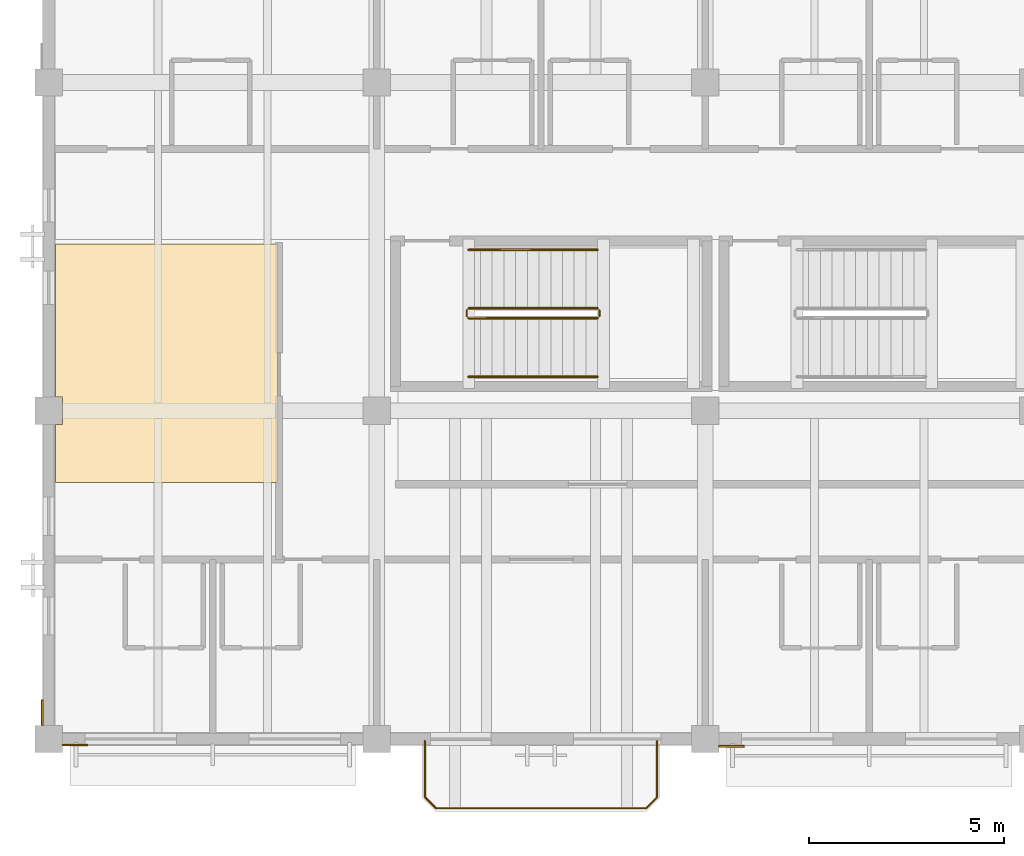
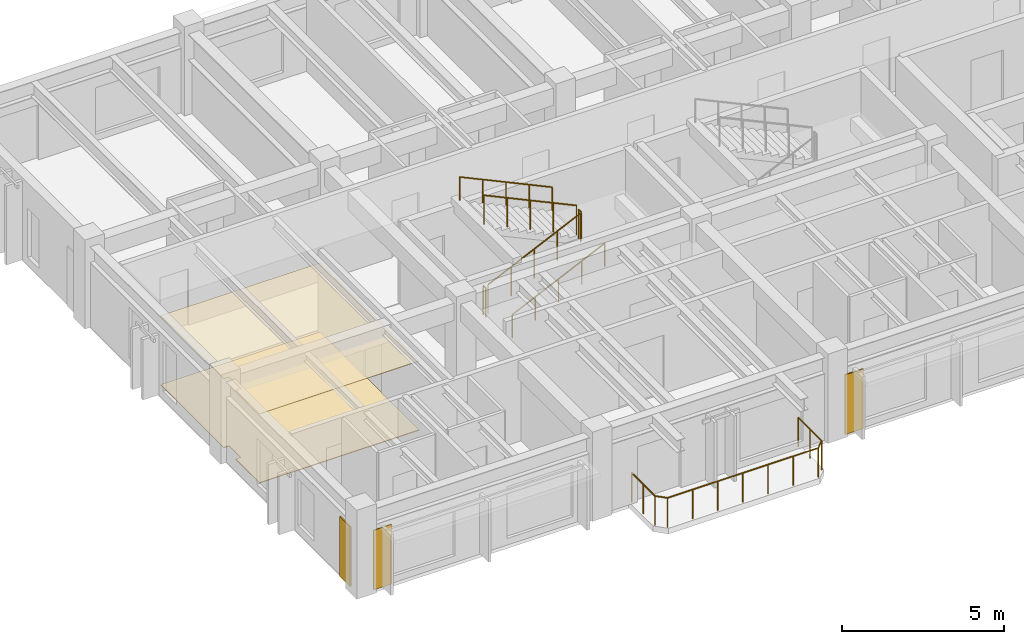
# One storey, part 13 of 18: 7 railings, 5 coverings.
"""IFC4 building model written with IfcOpenShell, lengths in metres."""

import ifcopenshell
import ifcopenshell.guid

model = None  # the IFC model being written
_history = None  # IfcOwnerHistory: only IFC2X3 demands one
_inside = {}  # id of a spatial element -> (the spatial element, [elements in it])
_under = {}  # id of a project, library or spatial element -> (it, [spatial elements below it])
_declared = {}  # id of a project -> (the project, [libraries it declares])
_typed = {}  # id of a type object -> (the type object, [elements of that type])
_made_of = {}  # id of a material, layer set ... -> (it, [elements and type objects made of it])


def new_model(schema):
    """Start an empty IFC model of exactly this schema.

    Asked for "IFC4X3", IfcOpenShell would pick the latest addendum, in which some entities
    have other attributes; the version numbers below select the first issue.
    IFC2X3 requires an IfcOwnerHistory on every rooted entity: one is made here for all.
    """
    global model, _history
    if schema == "IFC4X3":
        model = ifcopenshell.file(schema_version=(4, 3, 0, 0))
    else:
        model = ifcopenshell.file(schema=schema)
    _inside.clear()
    _under.clear()
    _declared.clear()
    _typed.clear()
    _made_of.clear()
    _history = None
    if model.schema == "IFC2X3":
        org = make("IfcOrganization", Name="unknown")
        user = make(
            "IfcPersonAndOrganization",
            ThePerson=make("IfcPerson", FamilyName="unknown"),
            TheOrganization=org,
        )
        app = make(
            "IfcApplication",
            ApplicationDeveloper=org,
            Version="unknown",
            ApplicationFullName="unknown",
            ApplicationIdentifier="unknown",
        )
        _history = make(
            "IfcOwnerHistory",
            OwningUser=user,
            OwningApplication=app,
            ChangeAction="ADDED",
            CreationDate=0,
        )
    return model


def make(cls, **values):
    """One entity of the class cls with the attributes given. An attribute that is None is left unset."""
    return model.create_entity(
        cls, **{name: value for name, value in values.items() if value is not None}
    )


def rooted(cls, **values):
    """An entity with a GlobalId (a new one), such as an element, a storey or a relation."""
    return make(cls, GlobalId=ifcopenshell.guid.new(), OwnerHistory=_history, **values)


def si_unit(unit_type, name, prefix=None):
    """IfcSIUnit, for example si_unit("LENGTHUNIT", "METRE", prefix="MILLI")."""
    return make("IfcSIUnit", UnitType=unit_type, Prefix=prefix, Name=name)


def assignment(units):
    """IfcUnitAssignment: the units of a project."""
    return None if units is None else make("IfcUnitAssignment", Units=units)


def point(xyz):
    """IfcCartesianPoint."""
    return None if xyz is None else make("IfcCartesianPoint", Coordinates=xyz)


def direction(xyz):
    """IfcDirection."""
    return None if xyz is None else make("IfcDirection", DirectionRatios=xyz)


def frame(location, z_axis=None, x_axis=None):
    """IfcAxis2Placement3D, a coordinate frame: its origin and axes. An axis left out is left unset."""
    return make(
        "IfcAxis2Placement3D",
        Location=point(location),
        Axis=direction(z_axis),
        RefDirection=direction(x_axis),
    )


def frame_2d(location, x_axis=None):
    """IfcAxis2Placement2D, a coordinate frame in the plane: its origin and x axis."""
    return make(
        "IfcAxis2Placement2D", Location=point(location), RefDirection=direction(x_axis)
    )


def origin():
    """The frame at (0, 0, 0) with its axes left unset."""
    return frame((0.0, 0.0, 0.0))


def origin_2d():
    """The frame at (0, 0) in the plane with its x axis left unset."""
    return frame_2d((0.0, 0.0))


def place(relative_to, where):
    """IfcLocalPlacement: puts the frame where relative to a parent placement (None: the world)."""
    return make(
        "IfcLocalPlacement", PlacementRelTo=relative_to, RelativePlacement=where
    )


def context(
    kind, dimensions, precision=None, world=None, true_north=None, identifier=None
):
    """IfcGeometricRepresentationContext, for example the 3D "Model" context."""
    return make(
        "IfcGeometricRepresentationContext",
        ContextIdentifier=identifier,
        ContextType=kind,
        CoordinateSpaceDimension=dimensions,
        Precision=precision,
        WorldCoordinateSystem=world,
        TrueNorth=true_north,
    )


def subcontext(parent, identifier, kind, view, scale=None):
    """IfcGeometricRepresentationSubContext, for example "Body" below "Model"."""
    return make(
        "IfcGeometricRepresentationSubContext",
        ContextIdentifier=identifier,
        ContextType=kind,
        ParentContext=parent,
        TargetScale=scale,
        TargetView=view,
    )


def project(units=None, contexts=None):
    """IfcProject with its units and contexts."""
    return rooted(
        "IfcProject",
        Name="project",
        RepresentationContexts=contexts,
        UnitsInContext=assignment(units),
    )


def spatial(cls, under=None, at=None, **own):
    """A site, building, storey or space (cls), placed at a placement, below another one or the project."""
    s = rooted(cls, ObjectPlacement=at, **own)
    if under is not None:
        _under.setdefault(under.id(), (under, []))[1].append(s)
    return s


def polyline(points):
    """IfcPolyline through the points."""
    return make("IfcPolyline", Points=[point(p) for p in points])


def profile(cls, at=None, kind="AREA", **sizes):
    """A parametric profile (cls). Its sizes go by their IFC names, for example OverallWidth=200.0."""
    return make(cls, ProfileType=kind, Position=at, **sizes)


def circle(**sizes):
    """IfcCircleProfileDef."""
    return profile("IfcCircleProfileDef", **sizes)


def outline(outer, holes=None, kind="AREA"):
    """IfcArbitraryClosedProfileDef: a profile drawn as a closed curve; with holes, ...WithVoids."""
    if holes is None:
        return make("IfcArbitraryClosedProfileDef", ProfileType=kind, OuterCurve=outer)
    return make(
        "IfcArbitraryProfileDefWithVoids",
        ProfileType=kind,
        OuterCurve=outer,
        InnerCurves=holes,
    )


def extrude(swept, where, along, depth):
    """IfcExtrudedAreaSolid: the profile swept, set in the frame where, extruded along a direction by depth."""
    return make(
        "IfcExtrudedAreaSolid",
        SweptArea=swept,
        Position=where,
        ExtrudedDirection=direction(along),
        Depth=depth,
    )


def shape(context_of_items, identifier, shape_type, items):
    """IfcShapeRepresentation: the items that make up one representation, for example the "Body"."""
    return make(
        "IfcShapeRepresentation",
        ContextOfItems=context_of_items,
        RepresentationIdentifier=identifier,
        RepresentationType=shape_type,
        Items=items,
    )


def material(Name=None, Category=None):
    """IfcMaterial."""
    return make("IfcMaterial", Name=Name, Category=Category)


def layer(
    of_material, thickness, ventilated=None, Name=None, Category=None, Priority=None
):
    """IfcMaterialLayer: one layer of a wall or slab, of a material (None: an air gap)."""
    return make(
        "IfcMaterialLayer",
        Material=of_material,
        LayerThickness=thickness,
        IsVentilated=ventilated,
        Name=Name,
        Category=Category,
        Priority=Priority,
    )


def layer_set(layers, Name=None):
    """IfcMaterialLayerSet."""
    return make("IfcMaterialLayerSet", MaterialLayers=layers, LayerSetName=Name)


def made_of(thing, what):
    """Note that an element or type object is made of a material, layer set ...; save() writes the relation."""
    if what is not None:
        _made_of.setdefault(what.id(), (what, []))[1].append(thing)
    return thing


def type_object(cls, material=None, **own):
    """A type object (cls), such as IfcWallType, which elements share."""
    return made_of(rooted(cls, **own), material)


def element(
    cls,
    number,
    at=None,
    inside=None,
    cuts=None,
    type_object=None,
    material=None,
    context=None,
    identifier="Body",
    shape_type=None,
    held_by="IfcProductDefinitionShape",
    body=None,
    shapes=None,
    **own,
):
    """One element of the class cls, such as IfcWall. Its Tag is "e" and its number.

    at: its placement. inside: the storey or other place that contains it. cuts: it is an
    opening in that element (IfcRelVoidsElement). A single representation is given by context,
    identifier, shape_type and body (its items); several are given by shapes. held_by: the class
    of the entity that holds the representations. save() writes the other relations.
    """
    e = rooted(cls, Tag="e%d" % number, ObjectPlacement=at, **own)
    if body is not None:
        shapes = [shape(context, identifier, shape_type, body)]
    if shapes is not None:
        e.Representation = make(held_by, Representations=shapes)
    if inside is not None:
        _inside.setdefault(inside.id(), (inside, []))[1].append(e)
    if cuts is not None:
        rooted(
            "IfcRelVoidsElement", RelatingBuildingElement=cuts, RelatedOpeningElement=e
        )
    if type_object is not None:
        _typed.setdefault(type_object.id(), (type_object, []))[1].append(e)
    return made_of(e, material)


def aggregate(whole, parts):
    """IfcRelAggregates: a whole, such as a stair, and the parts it consists of."""
    return rooted("IfcRelAggregates", RelatingObject=whole, RelatedObjects=parts)


def save(model, path):
    """Write the relations noted so far, then the file.

    IfcRelAggregates (storeys below a building ...), IfcRelContainedInSpatialStructure (elements
    in a storey), IfcRelDefinesByType, IfcRelAssociatesMaterial and IfcRelDeclares: one each for
    every whole, place, type object, material and project.
    """
    for whole, parts in _under.values():
        aggregate(whole, parts)
    for where, things in _inside.values():
        rooted(
            "IfcRelContainedInSpatialStructure",
            RelatedElements=things,
            RelatingStructure=where,
        )
    for kind, things in _typed.values():
        rooted("IfcRelDefinesByType", RelatedObjects=things, RelatingType=kind)
    for what, things in _made_of.values():
        rooted("IfcRelAssociatesMaterial", RelatedObjects=things, RelatingMaterial=what)
    for by, libraries in _declared.values():
        rooted("IfcRelDeclares", RelatingContext=by, RelatedDefinitions=libraries)
    model.write(path)


model = new_model("IFC4")

# Units and contexts
model_context = context("Model", 3, precision=1e-05, world=origin(), true_north=direction((0.0, 1.0)))
body_context = subcontext(model_context, "Body", "Model", "MODEL_VIEW")
ifc_project = project(units=[si_unit("LENGTHUNIT", "METRE"), si_unit("AREAUNIT", "SQUARE_METRE"), si_unit("VOLUMEUNIT", "CUBIC_METRE"), si_unit("PLANEANGLEUNIT", "RADIAN"), si_unit("MASSUNIT", "GRAM", prefix="KILO")], contexts=[model_context])

# Site, building, storey
site_placement = place(None, origin())
site = spatial("IfcSite", under=ifc_project, at=site_placement, CompositionType="ELEMENT")
building_placement = place(site_placement, origin())
building = spatial("IfcBuilding", under=site, at=building_placement, Name="Cumbredor Promenade Congress Hotel", CompositionType="ELEMENT")
storey_placement = place(building_placement, frame((0.0, 0.0, 25.199951171875)))
storey = spatial("IfcBuildingStorey", under=building, at=storey_placement, Name="L07", CompositionType="ELEMENT", Elevation=25.199951171875)

# Coverings
ifc_material_1 = material(Name="Acoustic mineral-fiber and gypsum ceiling")
ifc_layer_1 = layer(ifc_material_1, 0.02197265625, Name="Acoustic mineral-fiber and gypsum ceiling")
ifc_layer_set_1 = layer_set([ifc_layer_1], Name="Acoustic mineral-fiber and gypsum ceiling")
covering_type_1 = type_object("IfcCoveringType", Name="Acoustic Perforated Gypsum Ceiling CLG-02 22mm", PredefinedType="CEILING", material=ifc_layer_set_1)
covering_1_placement = place(storey_placement, frame((0.0, 0.0, 2.60205078125)))
element("IfcCovering", 1, at=covering_1_placement, inside=storey, type_object=covering_type_1, Name="L07 West Botanical Tea Salon Acoustic Ceiling", PredefinedType="CEILING", context=body_context, shape_type="SweptSolid", body=[
    extrude(outline(polyline([(0.169921875, 105.070068359375), (5.8701171875, 105.070068359375), (5.8701171875, 98.9599609375), (0.169921875, 98.9599609375), (0.169921875, 100.445068359375), (0.35498046875, 100.445068359375), (0.35498046875, 101.155029296875), (0.169921875, 101.155029296875), (0.169921875, 105.070068359375)])), origin(), (0.0, 0.0, 1.0), 0.02197265625),
])
ifc_material_2 = material(Name="Precast concrete C40/50", Category="concrete")
ifc_layer_2 = layer(ifc_material_2, 0.044921875, Name="Precast concrete C40/50", Category="concrete")
ifc_layer_set_2 = layer_set([ifc_layer_2], Name="Precast concrete C40/50")
covering_type_2 = type_object("IfcCoveringType", Name="Board-Formed Architectural Cladding Panel 45mm", PredefinedType="CLADDING", material=ifc_layer_set_2)
covering_2_placement = place(storey_placement, origin())
element("IfcCovering", 2, at=covering_2_placement, inside=storey, type_object=covering_type_2, Name="L07 Facade Stone Cladding Pier 222", PredefinedType="CLADDING", context=body_context, shape_type="SweptSolid", body=[
    extrude(outline(polyline([(17.15087890625, 92.237548828125), (17.801025390625, 92.237548828125), (17.801025390625, 92.1923828125), (17.15087890625, 92.1923828125), (17.15087890625, 92.237548828125)])), origin(), (0.0, 0.0, 1.0), 2.25),
])
covering_3_placement = place(storey_placement, origin())
element("IfcCovering", 3, at=covering_3_placement, inside=storey, type_object=covering_type_2, Name="L07 Facade Stone Cladding Pier 228", PredefinedType="CLADDING", context=body_context, shape_type="SweptSolid", body=[
    extrude(outline(polyline([(-0.139892578125, 92.7509765625), (-0.139892578125, 93.40087890625), (-0.18505859375, 93.40087890625), (-0.18505859375, 92.7509765625), (-0.139892578125, 92.7509765625)])), origin(), (0.0, 0.0, 1.0), 2.25),
])

# Railings
ifc_material_3 = material(Name="Brushed stainless steel", Category="steel")
railing_type_1 = type_object("IfcRailingType", Name="Interior Void & Stair Guardrail GR-1100", PredefinedType="GUARDRAIL", material=ifc_material_3)
railing_1_placement = place(storey_placement, frame((10.75, 103.169921875, 0.14013671875)))
element("IfcRailing", 4, at=railing_1_placement, inside=storey, type_object=railing_type_1, Name="L07 ST-01 stair guard 1", PredefinedType="GUARDRAIL", context=body_context, shape_type="SweptSolid", body=[
    extrude(circle(Radius=0.02392578125, at=origin_2d()), frame((0.0, 0.0, 1.09619140625), z_axis=(0.906207117075, 0.0, 0.422834082074), x_axis=(0.0, 1.0, 0.0)), (0.0, 0.0, 1.0), 3.6416015625),
    extrude(circle(Radius=0.02099609375, at=origin_2d()), origin(), (0.0, 0.0, 1.0), 1.072021484375),
    extrude(circle(Radius=0.02099609375, at=origin_2d()), frame((0.824951171875, 0.0, 0.385009765625)), (0.0, 0.0, 1.0), 1.072021484375),
    extrude(circle(Radius=0.02099609375, at=origin_2d()), frame((1.64990234375, 0.0, 0.77001953125)), (0.0, 0.0, 1.0), 1.072021484375),
    extrude(circle(Radius=0.02099609375, at=origin_2d()), frame((2.47509765625, 0.0, 1.15478515625)), (0.0, 0.0, 1.0), 1.072021484375),
    extrude(circle(Radius=0.02099609375, at=origin_2d()), frame((3.300048828125, 0.0, 1.539794921875)), (0.0, 0.0, 1.0), 1.072021484375),
])
railing_2_placement = place(storey_placement, frame((14.10009765625, 103.219970703125, 1.679931640625)))
element("IfcRailing", 5, at=railing_2_placement, inside=storey, type_object=railing_type_1, Name="L07 ST-01 stair guard 2", PredefinedType="GUARDRAIL", context=body_context, shape_type="SweptSolid", body=[
    extrude(circle(Radius=0.02392578125, at=origin_2d()), frame((0.0, 0.0, 1.09619140625), z_axis=(0.0, 1.0, 0.0), x_axis=(-1.0, 0.0, 0.0)), (0.0, 0.0, 1.0), 0.150146484375),
    extrude(circle(Radius=0.02099609375, at=origin_2d()), origin(), (0.0, 0.0, 1.0), 1.072021484375),
    extrude(circle(Radius=0.02099609375, at=origin_2d()), frame((0.0, 0.150146484375, 0.0)), (0.0, 0.0, 1.0), 1.072021484375),
])
railing_3_placement = place(storey_placement, frame((14.050048828125, 103.419921875, 1.820068359375)))
element("IfcRailing", 6, at=railing_3_placement, inside=storey, type_object=railing_type_1, Name="L07 ST-01 stair guard 3", PredefinedType="GUARDRAIL", context=body_context, shape_type="SweptSolid", body=[
    extrude(circle(Radius=0.02392578125, at=origin_2d()), frame((0.0, 0.0, 1.09619140625), z_axis=(-0.906181427284, 0.0, 0.422889135408), x_axis=(0.0, -1.0, 0.0)), (0.0, 0.0, 1.0), 3.6416015625),
    extrude(circle(Radius=0.02099609375, at=origin_2d()), origin(), (0.0, 0.0, 1.0), 1.072021484375),
    extrude(circle(Radius=0.02099609375, at=origin_2d()), frame((-0.824951171875, 0.0, 0.385009765625)), (0.0, 0.0, 1.0), 1.072021484375),
    extrude(circle(Radius=0.02099609375, at=origin_2d()), frame((-1.64990234375, 0.0, 0.77001953125)), (0.0, 0.0, 1.0), 1.072021484375),
    extrude(circle(Radius=0.02099609375, at=origin_2d()), frame((-2.47509765625, 0.0, 1.155029296875)), (0.0, 0.0, 1.0), 1.072021484375),
    extrude(circle(Radius=0.02099609375, at=origin_2d()), frame((-3.300048828125, 0.0, 1.5400390625)), (0.0, 0.0, 1.0), 1.072021484375),
])
railing_4_placement = place(storey_placement, frame((10.699951171875, 103.219970703125, 0.0)))
element("IfcRailing", 7, at=railing_4_placement, inside=storey, type_object=railing_type_1, Name="L07 ST-01 stair guard 4", PredefinedType="GUARDRAIL", context=body_context, shape_type="SweptSolid", body=[
    extrude(circle(Radius=0.02392578125, at=origin_2d()), frame((0.0, 0.0, 1.09619140625), z_axis=(0.0, 1.0, 0.0), x_axis=(-1.0, 0.0, 0.0)), (0.0, 0.0, 1.0), 0.150146484375),
    extrude(circle(Radius=0.02099609375, at=origin_2d()), origin(), (0.0, 0.0, 1.0), 1.072021484375),
    extrude(circle(Radius=0.02099609375, at=origin_2d()), frame((0.0, 0.150146484375, 0.0)), (0.0, 0.0, 1.0), 1.072021484375),
])

# Covering
ifc_material_4 = material(Name="Porcelain stoneware tile", Category="masonry")
ifc_layer_3 = layer(ifc_material_4, 0.02490234375, Name="Porcelain stoneware tile", Category="masonry")
ifc_layer_set_3 = layer_set([ifc_layer_3], Name="Porcelain stoneware tile")
covering_type_3 = type_object("IfcCoveringType", Name="Porcelain Stoneware Flooring FLR-02 25mm", PredefinedType="FLOORING", material=ifc_layer_set_3)
covering_4_placement = place(storey_placement, origin())
element("IfcCovering", 8, at=covering_4_placement, inside=storey, type_object=covering_type_3, Name="L07 West Botanical Tea Salon Porcelain Flooring", PredefinedType="FLOORING", context=body_context, shape_type="SweptSolid", body=[
    extrude(outline(polyline([(0.169921875, 105.070068359375), (5.8701171875, 105.070068359375), (5.8701171875, 98.9599609375), (0.169921875, 98.9599609375), (0.169921875, 100.445068359375), (0.35498046875, 100.445068359375), (0.35498046875, 101.155029296875), (0.169921875, 101.155029296875), (0.169921875, 105.070068359375)])), origin(), (0.0, 0.0, 1.0), 0.025146484375),
])

# Railings
railing_type_2 = type_object("IfcRailingType", Name="Stair Pitch Handrail HR-900", PredefinedType="HANDRAIL", material=ifc_material_3)
railing_5_placement = place(storey_placement, frame((10.75, 101.669921875, 0.14013671875)))
element("IfcRailing", 9, at=railing_5_placement, inside=storey, type_object=railing_type_2, Name="L07 ST-01 stair handrail 1", PredefinedType="HANDRAIL", context=body_context, shape_type="SweptSolid", body=[
    extrude(circle(Radius=0.02392578125, at=origin_2d()), frame((0.0, 0.0, 0.8759765625), z_axis=(0.906207117075, 0.0, 0.422834082074), x_axis=(0.0, 1.0, 0.0)), (0.0, 0.0, 1.0), 3.6416015625),
    extrude(circle(Radius=0.02099609375, at=origin_2d()), origin(), (0.0, 0.0, 1.0), 0.851806640625),
    extrude(circle(Radius=0.02099609375, at=origin_2d()), frame((0.824951171875, 0.0, 0.385009765625)), (0.0, 0.0, 1.0), 0.851806640625),
    extrude(circle(Radius=0.02099609375, at=origin_2d()), frame((1.64990234375, 0.0, 0.77001953125)), (0.0, 0.0, 1.0), 0.851806640625),
    extrude(circle(Radius=0.02099609375, at=origin_2d()), frame((2.47509765625, 0.0, 1.15478515625)), (0.0, 0.0, 1.0), 0.851806640625),
    extrude(circle(Radius=0.02099609375, at=origin_2d()), frame((3.300048828125, 0.0, 1.539794921875)), (0.0, 0.0, 1.0), 0.851806640625),
])
railing_6_placement = place(storey_placement, frame((14.050048828125, 104.919921875, 1.820068359375)))
element("IfcRailing", 10, at=railing_6_placement, inside=storey, type_object=railing_type_2, Name="L07 ST-01 stair handrail 2", PredefinedType="HANDRAIL", context=body_context, shape_type="SweptSolid", body=[
    extrude(circle(Radius=0.02392578125, at=origin_2d()), frame((0.0, 0.0, 0.8759765625), z_axis=(-0.906181427284, 0.0, 0.422889135408), x_axis=(0.0, -1.0, 0.0)), (0.0, 0.0, 1.0), 3.6416015625),
    extrude(circle(Radius=0.02099609375, at=origin_2d()), origin(), (0.0, 0.0, 1.0), 0.851806640625),
    extrude(circle(Radius=0.02099609375, at=origin_2d()), frame((-0.824951171875, 0.0, 0.385009765625)), (0.0, 0.0, 1.0), 0.851806640625),
    extrude(circle(Radius=0.02099609375, at=origin_2d()), frame((-1.64990234375, 0.0, 0.77001953125)), (0.0, 0.0, 1.0), 0.851806640625),
    extrude(circle(Radius=0.02099609375, at=origin_2d()), frame((-2.47509765625, 0.0, 1.155029296875)), (0.0, 0.0, 1.0), 0.851806640625),
    extrude(circle(Radius=0.02099609375, at=origin_2d()), frame((-3.300048828125, 0.0, 1.5400390625)), (0.0, 0.0, 1.0), 0.851806640625),
])
railing_type_3 = type_object("IfcRailingType", Name="Terrace Perimeter Balustrade BAL-1120", PredefinedType="BALUSTRADE", material=ifc_material_3)
railing_7_placement = place(storey_placement, frame((9.6298828125, 92.35009765625, 0.0)))
element("IfcRailing", 11, at=railing_7_placement, inside=storey, type_object=railing_type_3, Name="L07 Veranda Balcony Balustrade 045", PredefinedType="BALUSTRADE", context=body_context, shape_type="SweptSolid", body=[
    extrude(circle(Radius=0.02392578125, at=origin_2d()), frame((0.0, 0.0, 1.09619140625), z_axis=(0.0, -1.0, 0.0), x_axis=(1.0, 0.0, 0.0)), (0.0, 0.0, 1.0), 1.440185546875),
    extrude(circle(Radius=0.02392578125, at=origin_2d()), frame((0.0, -1.440185546875, 1.09619140625), z_axis=(0.707106781187, -0.707106781187, 0.0), x_axis=(0.707106781187, 0.707106781187, 0.0)), (0.0, 0.0, 1.0), 0.39599609375),
    extrude(circle(Radius=0.02392578125, at=origin_2d()), frame((0.280029296875, -1.72021484375, 1.09619140625), z_axis=(1.0, 0.0, 0.0), x_axis=(0.0, 1.0, 0.0)), (0.0, 0.0, 1.0), 5.380126953125),
    extrude(circle(Radius=0.02392578125, at=origin_2d()), frame((5.66015625, -1.72021484375, 1.09619140625), z_axis=(0.707106781187, 0.707106781187, 0.0), x_axis=(-0.707106781187, 0.707106781187, 0.0)), (0.0, 0.0, 1.0), 0.39599609375),
    extrude(circle(Radius=0.02392578125, at=origin_2d()), frame((5.940185546875, -1.440185546875, 1.09619140625), z_axis=(0.0, 1.0, 0.0), x_axis=(-1.0, 0.0, 0.0)), (0.0, 0.0, 1.0), 1.440185546875),
    extrude(circle(Radius=0.02099609375, at=origin_2d()), origin(), (0.0, 0.0, 1.0), 1.072021484375),
    extrude(circle(Radius=0.02099609375, at=origin_2d()), frame((0.0, -0.72021484375, 0.0)), (0.0, 0.0, 1.0), 1.072021484375),
    extrude(circle(Radius=0.02099609375, at=origin_2d()), frame((0.0, -1.440185546875, 0.0)), (0.0, 0.0, 1.0), 1.072021484375),
    extrude(circle(Radius=0.02099609375, at=origin_2d()), frame((0.280029296875, -1.72021484375, 0.0)), (0.0, 0.0, 1.0), 1.072021484375),
    extrude(circle(Radius=0.02099609375, at=origin_2d()), frame((1.1767578125, -1.72021484375, 0.0)), (0.0, 0.0, 1.0), 1.072021484375),
    extrude(circle(Radius=0.02099609375, at=origin_2d()), frame((2.073486328125, -1.72021484375, 0.0)), (0.0, 0.0, 1.0), 1.072021484375),
    extrude(circle(Radius=0.02099609375, at=origin_2d()), frame((2.97021484375, -1.72021484375, 0.0)), (0.0, 0.0, 1.0), 1.072021484375),
    extrude(circle(Radius=0.02099609375, at=origin_2d()), frame((3.86669921875, -1.72021484375, 0.0)), (0.0, 0.0, 1.0), 1.072021484375),
    extrude(circle(Radius=0.02099609375, at=origin_2d()), frame((4.763427734375, -1.72021484375, 0.0)), (0.0, 0.0, 1.0), 1.072021484375),
    extrude(circle(Radius=0.02099609375, at=origin_2d()), frame((5.66015625, -1.72021484375, 0.0)), (0.0, 0.0, 1.0), 1.072021484375),
    extrude(circle(Radius=0.02099609375, at=origin_2d()), frame((5.940185546875, -1.440185546875, 0.0)), (0.0, 0.0, 1.0), 1.072021484375),
    extrude(circle(Radius=0.02099609375, at=origin_2d()), frame((5.940185546875, -0.72021484375, 0.0)), (0.0, 0.0, 1.0), 1.072021484375),
    extrude(circle(Radius=0.02099609375, at=origin_2d()), frame((5.940185546875, 0.0, 0.0)), (0.0, 0.0, 1.0), 1.072021484375),
])

# Covering
ifc_material_5 = material(Name="Volcanic andesite ashlar cladding", Category="masonry")
ifc_layer_4 = layer(ifc_material_5, 0.034912109375, Name="Volcanic andesite ashlar cladding", Category="masonry")
ifc_layer_set_4 = layer_set([ifc_layer_4], Name="Volcanic andesite ashlar cladding")
covering_type_4 = type_object("IfcCoveringType", Name="Volcanic Andesite Ashlar Rainscreen Cladding 35mm", PredefinedType="CLADDING", material=ifc_layer_set_4)
covering_5_placement = place(storey_placement, origin())
element("IfcCovering", 12, at=covering_5_placement, inside=storey, type_object=covering_type_4, Name="L07 Facade Stone Cladding Pier 221", PredefinedType="CLADDING", context=body_context, shape_type="SweptSolid", body=[
    extrude(outline(polyline([(0.35107421875, 92.260009765625), (1.0009765625, 92.260009765625), (1.0009765625, 92.22509765625), (0.35107421875, 92.22509765625), (0.35107421875, 92.260009765625)])), origin(), (0.0, 0.0, 1.0), 2.25),
])

save(model, "model.ifc")
